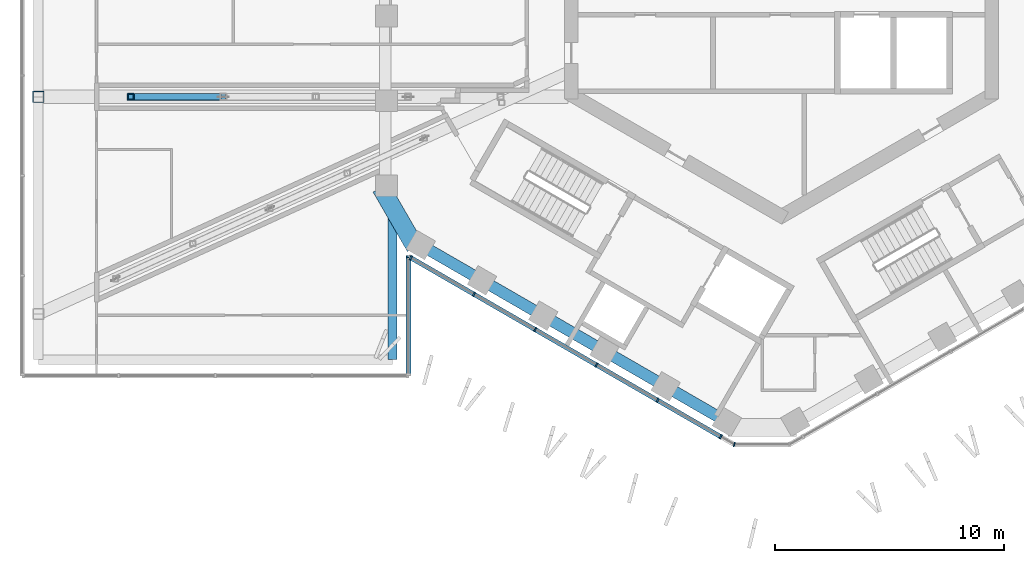
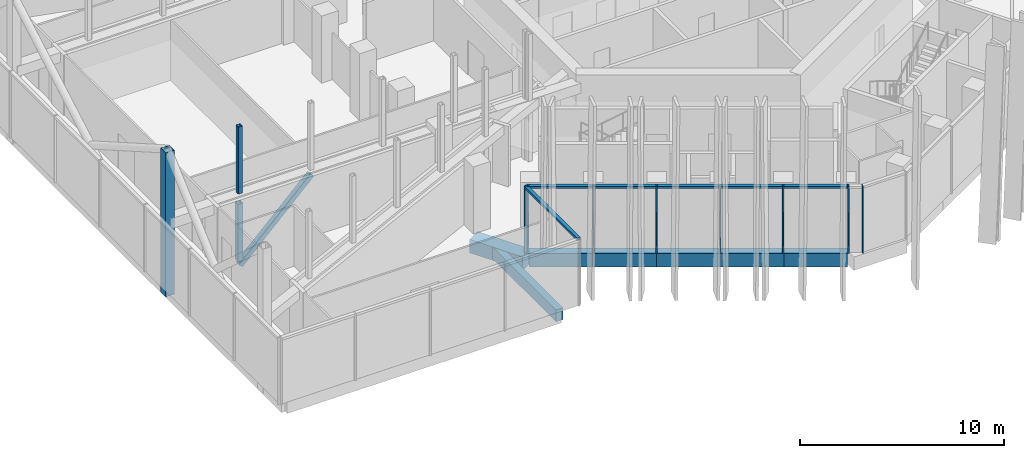
# One storey, part 3 of 28: 14 members, 7 beams, 3 elements without a shape of their own.
"""IFC4 building model written with IfcOpenShell, lengths in metres."""

from ifc_helpers import new_model, si_unit, direction, frame, origin, origin_2d, place, context, subcontext, project, spatial, rectangle, hollow_rectangle, extrude, material, layer, layer_set, material_profile, profile_set, type_object, element, aggregate, save


model = new_model("IFC4")

# Units and contexts
model_context = context("Model", 3, precision=1e-05, world=origin(), true_north=direction((0.0, 1.0)))
body_context = subcontext(model_context, "Body", "Model", "MODEL_VIEW")
ifc_project = project(units=[si_unit("LENGTHUNIT", "METRE"), si_unit("AREAUNIT", "SQUARE_METRE"), si_unit("VOLUMEUNIT", "CUBIC_METRE"), si_unit("PLANEANGLEUNIT", "RADIAN"), si_unit("MASSUNIT", "GRAM", prefix="KILO")], contexts=[model_context])

# Site, building, storey
site_placement = place(None, origin())
site = spatial("IfcSite", under=ifc_project, at=site_placement, CompositionType="ELEMENT")
building_placement = place(site_placement, origin())
building = spatial("IfcBuilding", under=site, at=building_placement, Name="Ayvan Gate Tower", CompositionType="ELEMENT")
storey_placement = place(building_placement, frame((0.0, 0.0, 202.10009765625)))
storey = spatial("IfcBuildingStorey", under=building, at=storey_placement, Name="L54", CompositionType="ELEMENT", Elevation=202.10009765625)

# Beams
ifc_material_1 = material(Name="Concrete C40/50", Category="concrete")
ifc_material_profile_1 = material_profile(ifc_material_1, rectangle(XDim=0.800048828125, YDim=0.800048828125, at=origin_2d()), Name="RC 800x800")
ifc_profile_set_1 = profile_set([ifc_material_profile_1], Name="Concrete C40/50")
beam_type_1 = type_object("IfcBeamType", Name="Corner spandrel beam RC 800x800 C40/50", PredefinedType="BEAM", material=ifc_profile_set_1)
beam_1_placement = place(storey_placement, frame((-17.52880859375, -9.36767578125, -0.800048828125), z_axis=(0.499990139034, -0.866031096941, 0.0), x_axis=(0.866031096941, 0.499990139034, 0.0)))
element("IfcBeam", 1, at=beam_1_placement, inside=storey, type_object=beam_type_1, Name="SB-L54-24", PredefinedType="BEAM", context=body_context, shape_type="SweptSolid", body=[
    extrude(rectangle(XDim=0.800048828125, YDim=0.800048828125, at=origin_2d()), origin(), (0.0, 0.0, 1.0), 3.0),
])
ifc_material_profile_2 = material_profile(ifc_material_1, rectangle(XDim=0.39990234375, YDim=0.699951171875, at=origin_2d()), Name="RC 400x700")
ifc_profile_set_2 = profile_set([ifc_material_profile_2], Name="Concrete C40/50")
beam_type_2 = type_object("IfcBeamType", Name="Sky bar edge beam RC 400x700 C40/50", PredefinedType="BEAM", material=ifc_profile_set_2)
beam_2_placement = place(storey_placement, frame((-17.024169921875, -10.462646484375, -0.75), z_axis=(0.0, -1.0, 0.0), x_axis=(1.0, 0.0, 0.0)))
element("IfcBeam", 2, at=beam_2_placement, inside=storey, type_object=beam_type_2, Name="EB-B5-L54-1", PredefinedType="BEAM", context=body_context, shape_type="SweptSolid", body=[
    extrude(rectangle(XDim=0.39990234375, YDim=0.699951171875, at=origin_2d()), origin(), (0.0, 0.0, 1.0), 6.437255859375),
])

# Members
ifc_material_2 = material(Name="Steel S460ML", Category="steel")
ifc_material_profile_3 = material_profile(ifc_material_2, hollow_rectangle(XDim=0.5, YDim=0.5, WallThickness=0.030029296875, at=origin_2d()), Name="BOX 500x500x30")
ifc_profile_set_3 = profile_set([ifc_material_profile_3], Name="Steel S460ML")
member_type_1 = type_object("IfcMemberType", Name="Sky bar end wall post BOX 500x500x30", PredefinedType="POST", material=ifc_profile_set_3)
member_1_placement = place(storey_placement, frame((-32.524169921875, -5.39990234375, -1.0), z_axis=(0.0, 0.0, 1.0), x_axis=(1.0, 0.0, 0.0)))
element("IfcMember", 3, at=member_1_placement, inside=storey, type_object=member_type_1, Name="EXO-B5-P3", PredefinedType="POST", context=body_context, shape_type="SweptSolid", body=[
    extrude(hollow_rectangle(XDim=0.5, YDim=0.5, WallThickness=0.030029296875, at=origin_2d()), origin(), (0.0, 0.0, 1.0), 8.599853515625),
])
ifc_material_3 = material(Name="Steel S460NH", Category="steel")
ifc_material_profile_4 = material_profile(ifc_material_3, hollow_rectangle(XDim=0.300048828125, YDim=0.300048828125, WallThickness=0.01611328125, InnerFilletRadius=0.01611328125, OuterFilletRadius=0.02392578125, at=origin_2d()), Name="RHS 300x300x16")
ifc_profile_set_4 = profile_set([ifc_material_profile_4], Name="Steel S460NH")
member_type_2 = type_object("IfcMemberType", Name="Sky bar truss brace B5 RHS 300x300x16", PredefinedType="BRACE", material=ifc_profile_set_4)
member_2_placement = place(storey_placement, frame((-24.4345703125, -5.39990234375, 3.2998046875), z_axis=(-0.711044095316, 0.0, -0.703147420187), x_axis=(0.0, -1.0, 0.0)))
element("IfcMember", 4, at=member_2_placement, inside=storey, type_object=member_type_2, Name="SBT5-3-D-5", PredefinedType="BRACE", context=body_context, shape_type="SweptSolid", body=[
    extrude(hollow_rectangle(XDim=0.300048828125, YDim=0.300048828125, WallThickness=0.01611328125, InnerFilletRadius=0.01611328125, OuterFilletRadius=0.02392578125, at=origin_2d()), origin(), (0.0, 0.0, 1.0), 5.688720703125),
])
ifc_material_profile_5 = material_profile(ifc_material_3, hollow_rectangle(XDim=0.300048828125, YDim=0.300048828125, WallThickness=0.012451171875, InnerFilletRadius=0.012451171875, OuterFilletRadius=0.018798828125, at=origin_2d()), Name="RHS 300x300x12.5")
ifc_profile_set_5 = profile_set([ifc_material_profile_5], Name="Steel S460NH")
member_type_3 = type_object("IfcMemberType", Name="Sky bar truss post B5 RHS 300x300x12.5", PredefinedType="POST", material=ifc_profile_set_5)
member_3_placement = place(storey_placement, frame((-28.4794921875, -5.39990234375, -0.400146484375), z_axis=(0.0, 0.0, 1.0), x_axis=(1.0, 0.0, 0.0)))
element("IfcMember", 5, at=member_3_placement, inside=storey, type_object=member_type_3, Name="SBT5-3-P-5", PredefinedType="POST", context=body_context, shape_type="SweptSolid", body=[
    extrude(hollow_rectangle(XDim=0.300048828125, YDim=0.300048828125, WallThickness=0.012451171875, InnerFilletRadius=0.012451171875, OuterFilletRadius=0.018798828125, at=origin_2d()), origin(), (0.0, 0.0, 1.0), 3.400146484375),
])
ifc_material_profile_6 = material_profile(ifc_material_3, hollow_rectangle(XDim=0.25, YDim=0.25, WallThickness=0.012451171875, InnerFilletRadius=0.012451171875, OuterFilletRadius=0.018798828125, at=origin_2d()), Name="RHS 250x250x12.5")
ifc_profile_set_6 = profile_set([ifc_material_profile_6], Name="Steel S460NH")
member_type_4 = type_object("IfcMemberType", Name="Sky bar upper post B5 RHS 250x250x12.5", PredefinedType="POST", material=ifc_profile_set_6)
member_4_placement = place(storey_placement, frame((-28.4794921875, -5.39990234375, 3.599853515625), z_axis=(0.0, 0.0, 1.0), x_axis=(1.0, 0.0, 0.0)))
element("IfcMember", 6, at=member_4_placement, inside=storey, type_object=member_type_4, Name="SBT5-3-U-5", PredefinedType="POST", context=body_context, shape_type="SweptSolid", body=[
    extrude(hollow_rectangle(XDim=0.25, YDim=0.25, WallThickness=0.012451171875, InnerFilletRadius=0.012451171875, OuterFilletRadius=0.018798828125, at=origin_2d()), origin(), (0.0, 0.0, 1.0), 4.0),
])

# Beams
ifc_material_profile_7 = material_profile(ifc_material_1, rectangle(XDim=0.5, YDim=0.800048828125, at=origin_2d()), Name="RC 500x800")
ifc_profile_set_7 = profile_set([ifc_material_profile_7], Name="Concrete C40/50")
beam_type_3 = type_object("IfcBeamType", Name="Spandrel beam RC 500x800 C40/50", PredefinedType="BEAM", material=ifc_profile_set_7)
beam_3_placement = place(storey_placement, frame((-15.838134765625, -11.855712890625, -0.800048828125), z_axis=(0.866001576138, -0.500041268423, 0.0), x_axis=(0.500041268423, 0.866001576138, 0.0)))
element("IfcBeam", 7, at=beam_3_placement, inside=storey, type_object=beam_type_3, Name="SB-L54-25", PredefinedType="BEAM", context=body_context, shape_type="SweptSolid", body=[
    extrude(rectangle(XDim=0.5, YDim=0.800048828125, at=origin_2d()), origin(), (0.0, 0.0, 1.0), 3.115478515625),
])
for number, where, z_axis, x_axis, name in (
    (8, (-13.14013671875, -13.41357421875, -0.800048828125), (0.866035509988, -0.499982495134, 0.0), (0.499982495134, 0.866035509988, 0.0), "SB-L54-26"),
    (9, (-10.442138671875, -14.97119140625, -0.800048828125), (0.866015917575, -0.500016430238, 0.0), (0.500016430238, 0.866015917575, 0.0), "SB-L54-27"),
    (10, (-7.744384765625, -16.52880859375, -0.800048828125), (0.866035509988, -0.499982495134, 0.0), (0.499982495134, 0.866035509988, 0.0), "SB-L54-28"),
):
    element("IfcBeam", number, at=place(storey_placement, frame(where, z_axis=z_axis, x_axis=x_axis)), inside=storey, type_object=beam_type_3, Name=name, PredefinedType="BEAM", context=body_context, shape_type="SweptSolid", body=[
        extrude(rectangle(XDim=0.5, YDim=0.800048828125, at=origin_2d()), origin(), (0.0, 0.0, 1.0), 3.115234375),
    ])
beam_4_placement = place(storey_placement, frame((-5.04638671875, -18.08642578125, -0.800048828125), z_axis=(0.866001576138, -0.500041268423, 0.0), x_axis=(0.500041268423, 0.866001576138, 0.0)))
element("IfcBeam", 11, at=beam_4_placement, inside=storey, type_object=beam_type_3, Name="SB-L54-29", PredefinedType="BEAM", context=body_context, shape_type="SweptSolid", body=[
    extrude(rectangle(XDim=0.5, YDim=0.800048828125, at=origin_2d()), origin(), (0.0, 0.0, 1.0), 3.115478515625),
])

# Curtain wall, members
ifc_material_4 = material(Name="Bronze anodised aluminium", Category="aluminium")
ifc_layer_1 = layer(ifc_material_4, 0.199951171875)
ifc_layer_set_1 = layer_set([ifc_layer_1], Name="Bronze anodised aluminium")
curtain_wall_type_1 = type_object("IfcCurtainWallType", Name="Stick curtain wall CW-2", PredefinedType="NOTDEFINED", material=ifc_layer_set_1)
curtain_wall_1_placement = place(storey_placement, origin())
curtain_wall_1 = element("IfcCurtainWall", 12, at=curtain_wall_1_placement, inside=storey, type_object=curtain_wall_type_1, Name="Stick curtain wall CW-2 L54", PredefinedType="NOTDEFINED")
ifc_material_profile_8 = material_profile(ifc_material_4, rectangle(XDim=0.199951171875, YDim=0.070068359375, at=origin_2d()), Name="Stick curtain wall CW-2 mullion 200 x 70")
ifc_profile_set_8 = profile_set([ifc_material_profile_8], Name="Bronze anodised aluminium")
member_type_5 = type_object("IfcMemberType", Name="Stick curtain wall CW-2 mullion 200 x 70", PredefinedType="MULLION", material=ifc_profile_set_8)
member_5_placement = place(storey_placement, frame((-16.2236328125, -12.44140625, 0.0), z_axis=(0.0, 0.0, 1.0), x_axis=(-0.5, -0.866025403784, 0.0)))
member_5 = element("IfcMember", 13, at=member_5_placement, type_object=member_type_5, Name="CW-2 mullion 1", PredefinedType="MULLION", context=body_context, shape_type="SweptSolid", body=[
    extrude(rectangle(XDim=0.199951171875, YDim=0.070068359375, at=origin_2d()), origin(), (0.0, 0.0, 1.0), 4.0),
])
member_6_placement = place(storey_placement, frame((-13.461181640625, -14.03662109375, 0.0), z_axis=(0.0, 0.0, 1.0), x_axis=(-0.5, -0.866025403784, 0.0)))
member_6 = element("IfcMember", 14, at=member_6_placement, type_object=member_type_5, Name="CW-2 mullion 2", PredefinedType="MULLION", context=body_context, shape_type="SweptSolid", body=[
    extrude(rectangle(XDim=0.199951171875, YDim=0.070068359375, at=origin_2d()), origin(), (0.0, 0.0, 1.0), 4.0),
])
member_7_placement = place(storey_placement, frame((-10.782470703125, -15.5830078125, 0.0), z_axis=(0.0, 0.0, 1.0), x_axis=(-0.5, -0.866025403784, 0.0)))
member_7 = element("IfcMember", 15, at=member_7_placement, type_object=member_type_5, Name="CW-2 mullion 3", PredefinedType="MULLION", context=body_context, shape_type="SweptSolid", body=[
    extrude(rectangle(XDim=0.199951171875, YDim=0.070068359375, at=origin_2d()), origin(), (0.0, 0.0, 1.0), 4.0),
])
member_8_placement = place(storey_placement, frame((-8.10400390625, -17.12939453125, 0.0), z_axis=(0.0, 0.0, 1.0), x_axis=(-0.5, -0.866025403784, 0.0)))
member_8 = element("IfcMember", 16, at=member_8_placement, type_object=member_type_5, Name="CW-2 mullion 4", PredefinedType="MULLION", context=body_context, shape_type="SweptSolid", body=[
    extrude(rectangle(XDim=0.199951171875, YDim=0.070068359375, at=origin_2d()), origin(), (0.0, 0.0, 1.0), 4.0),
])
member_9_placement = place(storey_placement, frame((-5.42529296875, -18.676025390625, 0.0), z_axis=(0.0, 0.0, 1.0), x_axis=(-0.5, -0.866025403784, 0.0)))
member_9 = element("IfcMember", 17, at=member_9_placement, type_object=member_type_5, Name="CW-2 mullion 5", PredefinedType="MULLION", context=body_context, shape_type="SweptSolid", body=[
    extrude(rectangle(XDim=0.199951171875, YDim=0.070068359375, at=origin_2d()), origin(), (0.0, 0.0, 1.0), 4.0),
])
member_10_placement = place(storey_placement, frame((-2.662841796875, -20.27099609375, 0.0), z_axis=(0.0, 0.0, 1.0), x_axis=(-0.5, -0.866025403784, 0.0)))
member_10 = element("IfcMember", 18, at=member_10_placement, type_object=member_type_5, Name="CW-2 mullion 6", PredefinedType="MULLION", context=body_context, shape_type="SweptSolid", body=[
    extrude(rectangle(XDim=0.199951171875, YDim=0.070068359375, at=origin_2d()), origin(), (0.0, 0.0, 1.0), 4.0),
])
ifc_material_profile_9 = material_profile(ifc_material_4, rectangle(XDim=0.199951171875, YDim=0.1201171875, at=origin_2d()), Name="Stick curtain wall CW-2 transom 200 x 120")
ifc_profile_set_9 = profile_set([ifc_material_profile_9], Name="Bronze anodised aluminium")
member_type_6 = type_object("IfcMemberType", Name="Stick curtain wall CW-2 transom 200 x 120", PredefinedType="USERDEFINED", material=ifc_profile_set_9)
member_11_placement = place(storey_placement, frame((-16.2236328125, -12.44140625, 3.93994140625), z_axis=(0.866018117109, -0.50001262068, 0.0), x_axis=(0.50001262068, 0.866018117109, 0.0)))
member_11 = element("IfcMember", 19, at=member_11_placement, type_object=member_type_6, Name="CW-2 transom 1", ObjectType="TRANSOM", PredefinedType="USERDEFINED", context=body_context, shape_type="SweptSolid", body=[
    extrude(rectangle(XDim=0.199951171875, YDim=0.1201171875, at=origin_2d()), origin(), (0.0, 0.0, 1.0), 15.65869140625),
])
aggregate(curtain_wall_1, [member_5, member_6, member_7, member_8, member_9, member_10, member_11])

ifc_layer_2 = layer(ifc_material_4, 0.199951171875)
ifc_layer_set_2 = layer_set([ifc_layer_2], Name="Bronze anodised aluminium")
curtain_wall_type_2 = type_object("IfcCurtainWallType", Name="Stick curtain wall CW-4", PredefinedType="NOTDEFINED", material=ifc_layer_set_2)
curtain_wall_2_placement = place(storey_placement, origin())
curtain_wall_2 = element("IfcCurtainWall", 20, at=curtain_wall_2_placement, inside=storey, type_object=curtain_wall_type_2, Name="Stick curtain wall CW-4 L54", PredefinedType="NOTDEFINED")
ifc_material_profile_10 = material_profile(ifc_material_4, rectangle(XDim=0.199951171875, YDim=0.080078125, at=origin_2d()), Name="Stick curtain wall CW-4 mullion 200 x 80")
ifc_profile_set_10 = profile_set([ifc_material_profile_10], Name="Bronze anodised aluminium")
member_type_7 = type_object("IfcMemberType", Name="Stick curtain wall CW-4 mullion 200 x 80", PredefinedType="MULLION", material=ifc_profile_set_10)
member_12_placement = place(storey_placement, frame((-16.32421875, -12.393798828125, 0.0), z_axis=(0.0, 0.0, 1.0), x_axis=(1.0, 0.0, 0.0)))
member_12 = element("IfcMember", 21, at=member_12_placement, type_object=member_type_7, Name="CW-4 mullion 2", PredefinedType="MULLION", context=body_context, shape_type="SweptSolid", body=[
    extrude(rectangle(XDim=0.199951171875, YDim=0.080078125, at=origin_2d()), origin(), (0.0, 0.0, 1.0), 4.0),
])
ifc_material_profile_11 = material_profile(ifc_material_4, rectangle(XDim=0.199951171875, YDim=0.139892578125, at=origin_2d()), Name="Stick curtain wall CW-4 transom 200 x 140")
ifc_profile_set_11 = profile_set([ifc_material_profile_11], Name="Bronze anodised aluminium")
member_type_8 = type_object("IfcMemberType", Name="Stick curtain wall CW-4 transom 200 x 140", PredefinedType="USERDEFINED", material=ifc_profile_set_11)
member_13_placement = place(storey_placement, frame((-16.32421875, -17.56005859375, 3.929931640625), z_axis=(0.0, 1.0, 0.0), x_axis=(-1.0, 0.0, 0.0)))
member_13 = element("IfcMember", 22, at=member_13_placement, type_object=member_type_8, Name="CW-4 transom 1", ObjectType="TRANSOM", PredefinedType="USERDEFINED", context=body_context, shape_type="SweptSolid", body=[
    extrude(rectangle(XDim=0.199951171875, YDim=0.139892578125, at=origin_2d()), origin(), (0.0, 0.0, 1.0), 5.166259765625),
])
aggregate(curtain_wall_2, [member_12, member_13])

# Curtain wall, member
ifc_layer_3 = layer(ifc_material_4, 0.199951171875)
ifc_layer_set_3 = layer_set([ifc_layer_3], Name="Bronze anodised aluminium")
curtain_wall_type_3 = type_object("IfcCurtainWallType", Name="Stick curtain wall CW-6", PredefinedType="NOTDEFINED", material=ifc_layer_set_3)
curtain_wall_3_placement = place(storey_placement, origin())
curtain_wall_3 = element("IfcCurtainWall", 23, at=curtain_wall_3_placement, inside=storey, type_object=curtain_wall_type_3, Name="Stick curtain wall CW-6 L54", PredefinedType="NOTDEFINED")
ifc_material_profile_12 = material_profile(ifc_material_4, rectangle(XDim=0.199951171875, YDim=0.050048828125, at=origin_2d()), Name="Stick curtain wall CW-6 mullion 200 x 50")
ifc_profile_set_12 = profile_set([ifc_material_profile_12], Name="Bronze anodised aluminium")
member_type_9 = type_object("IfcMemberType", Name="Stick curtain wall CW-6 mullion 200 x 50", PredefinedType="MULLION", material=ifc_profile_set_12)
member_14_placement = place(storey_placement, frame((-2.069580078125, -20.613525390625, 0.0), z_axis=(0.0, 0.0, 1.0), x_axis=(-0.258819045103, -0.965925826289, 0.0)))
member_14 = element("IfcMember", 24, at=member_14_placement, type_object=member_type_9, Name="CW-6 mullion 2", PredefinedType="MULLION", context=body_context, shape_type="SweptSolid", body=[
    extrude(rectangle(XDim=0.199951171875, YDim=0.050048828125, at=origin_2d()), origin(), (0.0, 0.0, 1.0), 4.0),
])
aggregate(curtain_wall_3, [member_14])

save(model, "model.ifc")
